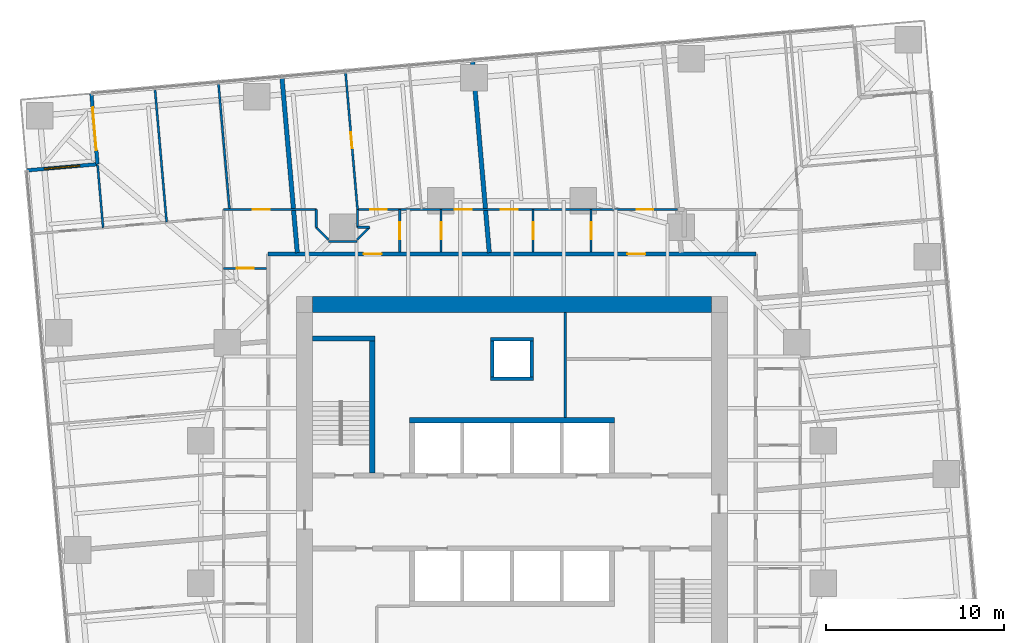
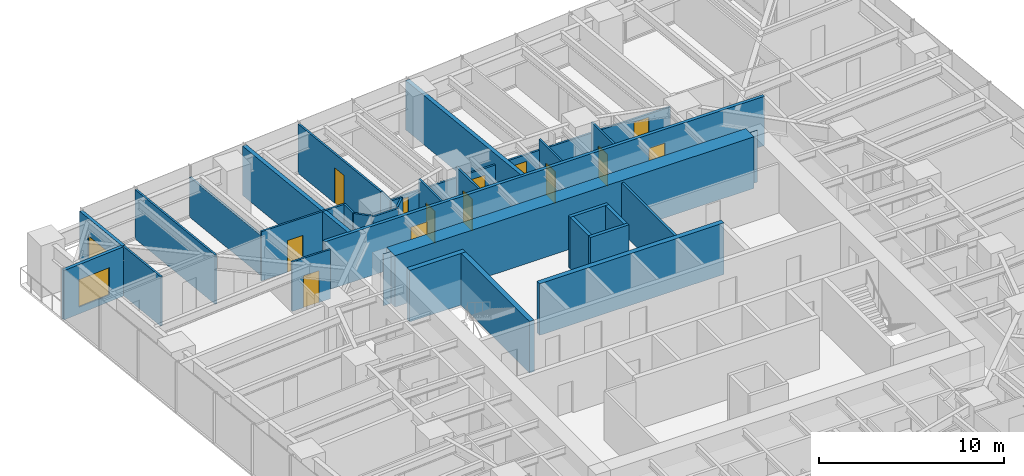
# One storey, part 12 of 14: 31 walls, 14 doors, 1 window, 15 openings.
"""IFC4 building model written with IfcOpenShell, lengths in metres."""

from ifc_helpers import new_model, si_unit, direction, frame, frame_2d, origin, place, context, subcontext, project, spatial, polyline, rectangle, outline, extrude, material, layer, layer_set, type_object, element, fill, save


model = new_model("IFC4")

# Units and contexts
model_context = context("Model", 3, precision=1e-05, world=origin(), true_north=direction((0.0, 1.0)))
body_context = subcontext(model_context, "Body", "Model", "MODEL_VIEW")
ifc_project = project(units=[si_unit("LENGTHUNIT", "METRE"), si_unit("AREAUNIT", "SQUARE_METRE"), si_unit("VOLUMEUNIT", "CUBIC_METRE"), si_unit("PLANEANGLEUNIT", "RADIAN"), si_unit("MASSUNIT", "GRAM", prefix="KILO")], contexts=[model_context])

# Site, building, storey
site_placement = place(None, origin())
site = spatial("IfcSite", under=ifc_project, at=site_placement, CompositionType="ELEMENT")
building_placement = place(site_placement, origin())
building = spatial("IfcBuilding", under=site, at=building_placement, Name="Torsade Residences", CompositionType="ELEMENT")
storey_placement = place(building_placement, frame((0.0, 0.0, 64.199951171875)))
storey = spatial("IfcBuildingStorey", under=building, at=storey_placement, Name="L17", CompositionType="ELEMENT", Elevation=64.199951171875)

# Walls
ifc_material_1 = material(Name="Concrete 80 MPa", Category="concrete")
ifc_layer_1 = layer(ifc_material_1, 0.300048828125)
ifc_layer_set_1 = layer_set([ifc_layer_1], Name="Concrete 80 MPa")
wall_type_1 = type_object("IfcWallType", Name="CORE INTERNAL WALL 300", PredefinedType="SHEAR", material=ifc_layer_set_1)
wall_1_placement = place(storey_placement, frame((34.25, 35.14990234375, 0.0), z_axis=(0.0, 0.0, 1.0), x_axis=(1.0, 0.0, 0.0)))
element("IfcWall", 1, at=wall_1_placement, inside=storey, type_object=wall_type_1, Name="Core wall BN L17", PredefinedType="SHEAR", context=body_context, shape_type="SweptSolid", body=[
    extrude(rectangle(XDim=11.5, YDim=0.300048828125, at=frame_2d((5.75, 0.0))), origin(), (0.0, 0.0, 1.0), 3.400146484375),
])
wall_2_placement = place(storey_placement, frame((32.14990234375, 32.199951171875, 0.0), z_axis=(0.0, 0.0, 1.0), x_axis=(0.0, 1.0, 0.0)))
element("IfcWall", 2, at=wall_2_placement, inside=storey, type_object=wall_type_1, Name="Core wall ST1E L17", PredefinedType="SHEAR", context=body_context, shape_type="SweptSolid", body=[
    extrude(rectangle(XDim=7.699951171875, YDim=0.300048828125, at=frame_2d((3.85009765625, 0.0))), origin(), (0.0, 0.0, 1.0), 3.400146484375),
])
wall_3_placement = place(storey_placement, frame((28.800048828125, 39.75, 0.0), z_axis=(0.0, 0.0, 1.0), x_axis=(1.0, 0.0, 0.0)))
element("IfcWall", 3, at=wall_3_placement, inside=storey, type_object=wall_type_1, Name="Core wall ST1N L17", PredefinedType="SHEAR", context=body_context, shape_type="SweptSolid", body=[
    extrude(rectangle(XDim=3.5, YDim=0.300048828125, at=frame_2d((1.75, 0.0))), origin(), (0.0, 0.0, 1.0), 3.400146484375),
])
ifc_material_2 = material(Name="Concrete 80 MPa", Category="concrete")
ifc_layer_2 = layer(ifc_material_2, 0.89990234375)
ifc_layer_set_2 = layer_set([ifc_layer_2], Name="Concrete 80 MPa")
wall_type_2 = type_object("IfcWallType", Name="CORE WALL 900", PredefinedType="SHEAR", material=ifc_layer_set_2)
wall_4_placement = place(storey_placement, frame((28.800048828125, 41.64990234375, 0.0), z_axis=(0.0, 0.0, 1.0), x_axis=(1.0, 0.0, 0.0)))
element("IfcWall", 4, at=wall_4_placement, inside=storey, type_object=wall_type_2, Name="Core wall N L17", PredefinedType="SHEAR", context=body_context, shape_type="SweptSolid", body=[
    extrude(outline(polyline([(0.0, -0.449951171875), (22.39990234375, -0.449951171875), (22.39990234375, -0.02490234375), (22.849853515625, -0.02490234375), (22.849853515625, 0.02490234375), (22.39990234375, 0.02490234375), (22.39990234375, 0.449951171875), (0.0, 0.449951171875), (0.0, 0.02490234375), (-0.449951171875, 0.02490234375), (-0.449951171875, -0.02490234375), (0.0, -0.02490234375), (0.0, -0.449951171875)])), origin(), (0.0, 0.0, 1.0), 3.400146484375),
])

# Wall, openings, doors
ifc_material_3 = material(Name="Plasterboard on steel stud", Category="steel")
ifc_layer_3 = layer(ifc_material_3, 0.199951171875)
ifc_layer_set_3 = layer_set([ifc_layer_3], Name="Plasterboard on steel stud")
wall_type_3 = type_object("IfcWallType", Name="CORRIDOR WALL 200", PredefinedType="PARTITIONING", material=ifc_layer_set_3)
wall_5_placement = place(storey_placement, frame((53.699951171875, 44.5, 0.0), z_axis=(0.0, 0.0, 1.0), x_axis=(-1.0, 0.0, 0.0)))
wall_5 = element("IfcWall", 5, at=wall_5_placement, inside=storey, type_object=wall_type_3, Name="Corridor wall L17", PredefinedType="PARTITIONING", context=body_context, shape_type="SweptSolid", body=[
    extrude(rectangle(XDim=27.39990234375, YDim=0.199951171875, at=frame_2d((13.699951171875, 0.0))), origin(), (0.0, 0.0, 1.0), 3.25),
])
opening_1_placement = place(wall_5_placement, frame((21.02099609375, 0.0, 0.0)))
opening_1 = element("IfcOpeningElement", 6, at=opening_1_placement, cuts=wall_5, Name="Opening D01", PredefinedType="OPENING", context=body_context, shape_type="SweptSolid", body=[
    extrude(rectangle(XDim=1.02001953125, YDim=2.340087890625, at=frame_2d((0.510009765625, 1.169921875))), frame((0.0, 0.10986328125, 0.0), z_axis=(0.0, -1.0, 0.0), x_axis=(1.0, 0.0, 0.0)), (0.0, 0.0, 1.0), 0.219970703125),
])
opening_2_placement = place(wall_5_placement, frame((6.201416015625, 0.0, 0.0)))
opening_2 = element("IfcOpeningElement", 7, at=opening_2_placement, cuts=wall_5, Name="Opening D01", PredefinedType="OPENING", context=body_context, shape_type="SweptSolid", body=[
    extrude(rectangle(XDim=1.02001953125, YDim=2.340087890625, at=frame_2d((0.510009765625, 1.169921875))), frame((0.0, 0.10986328125, 0.0), z_axis=(0.0, -1.0, 0.0), x_axis=(1.0, 0.0, 0.0)), (0.0, 0.0, 1.0), 0.219970703125),
])
ifc_material_4 = material(Name="Solid-core timber fire door", Category="wood")
door_type_1 = type_object("IfcDoorType", Name="APARTMENT ENTRY DOOR 1020x2340", OperationType="NOTDEFINED", PredefinedType="DOOR", material=ifc_material_4)
door_1_placement = place(opening_1_placement, origin())
door_1 = element("IfcDoor", 8, at=door_1_placement, inside=storey, type_object=door_type_1, Name="Door Residential corridor to Kitchen and dining", OperationType="SINGLE_SWING_LEFT", OverallHeight=2.340087890625, OverallWidth=1.02001953125, PredefinedType="DOOR", context=body_context, shape_type="SweptSolid", body=[
    extrude(rectangle(XDim=1.02001953125, YDim=2.340087890625, at=frame_2d((0.510009765625, 1.169921875))), frame((0.0, 0.02490234375, 0.0), z_axis=(0.0, -1.0, 0.0), x_axis=(1.0, 0.0, 0.0)), (0.0, 0.0, 1.0), 0.050048828125),
])
fill(opening_1, door_1)
door_2_placement = place(opening_2_placement, origin())
door_2 = element("IfcDoor", 9, at=door_2_placement, inside=storey, type_object=door_type_1, Name="Door Residential corridor to Kitchen and dining", OperationType="SINGLE_SWING_RIGHT", OverallHeight=2.340087890625, OverallWidth=1.02001953125, PredefinedType="DOOR", context=body_context, shape_type="SweptSolid", body=[
    extrude(rectangle(XDim=1.02001953125, YDim=2.340087890625, at=frame_2d((0.510009765625, 1.169921875))), frame((0.0, 0.02490234375, 0.0), z_axis=(0.0, -1.0, 0.0), x_axis=(1.0, 0.0, 0.0)), (0.0, 0.0, 1.0), 0.050048828125),
])
fill(opening_2, door_2)

# Wall, opening, door
ifc_material_5 = material(Name="Plasterboard on steel stud", Category="steel")
ifc_layer_4 = layer(ifc_material_5, 0.1201171875)
ifc_layer_set_4 = layer_set([ifc_layer_4], Name="Plasterboard on steel stud")
wall_type_4 = type_object("IfcWallType", Name="PARTITION 120", PredefinedType="PARTITIONING", material=ifc_layer_set_4)
wall_6_placement = place(storey_placement, frame((44.44482421875, 44.60009765625, 0.0), z_axis=(0.0, 0.0, 1.0), x_axis=(0.0, 1.0, 0.0)))
wall_6 = element("IfcWall", 10, at=wall_6_placement, inside=storey, type_object=wall_type_4, Name="Partition L17", PredefinedType="PARTITIONING", context=body_context, shape_type="SweptSolid", body=[
    extrude(rectangle(XDim=2.39990234375, YDim=0.1201171875, at=frame_2d((1.199951171875, 0.0))), origin(), (0.0, 0.0, 1.0), 3.25),
])
opening_3_placement = place(wall_6_placement, frame((0.719970703125, 0.0, 0.0)))
opening_3 = element("IfcOpeningElement", 11, at=opening_3_placement, cuts=wall_6, Name="Opening D05", PredefinedType="OPENING", context=body_context, shape_type="SweptSolid", body=[
    extrude(rectangle(XDim=0.9599609375, YDim=2.10009765625, at=frame_2d((0.47998046875, 1.050048828125))), frame((0.0, 0.070068359375, 0.0), z_axis=(0.0, -1.0, 0.0), x_axis=(1.0, 0.0, 0.0)), (0.0, 0.0, 1.0), 0.14013671875),
])
ifc_material_6 = material(Name="Hollow-core timber door in a steel cavity frame", Category="steel")
door_type_2 = type_object("IfcDoorType", Name="BATHROOM CAVITY SLIDING DOOR 960", OperationType="SLIDING_TO_LEFT", PredefinedType="DOOR", material=ifc_material_6)
door_3_placement = place(opening_3_placement, origin())
door_3 = element("IfcDoor", 12, at=door_3_placement, inside=storey, type_object=door_type_2, Name="Door Kitchen and dining to Bathroom", OperationType="SLIDING_TO_LEFT", OverallHeight=2.10009765625, OverallWidth=0.9599609375, PredefinedType="DOOR", context=body_context, shape_type="SweptSolid", body=[
    extrude(rectangle(XDim=0.9599609375, YDim=2.10009765625, at=frame_2d((0.47998046875, 1.050048828125))), frame((0.0, 0.02490234375, 0.0), z_axis=(0.0, -1.0, 0.0), x_axis=(1.0, 0.0, 0.0)), (0.0, 0.0, 1.0), 0.050048828125),
])
fill(opening_3, door_3)

# Wall, openings, doors
wall_7_placement = place(storey_placement, frame((31.318603515625, 47.0, 0.0), z_axis=(0.0, 0.0, 1.0), x_axis=(1.0, 0.0, 0.0)))
wall_7 = element("IfcWall", 13, at=wall_7_placement, inside=storey, type_object=wall_type_4, Name="Partition L17", PredefinedType="PARTITIONING", context=body_context, shape_type="SweptSolid", body=[
    extrude(rectangle(XDim=17.985107421875, YDim=0.1201171875, at=frame_2d((8.99267578125, 0.0))), origin(), (0.0, 0.0, 1.0), 2.550048828125),
])
opening_4_placement = place(wall_7_placement, frame((0.7255859375, 0.0, 0.0)))
opening_4 = element("IfcOpeningElement", 14, at=opening_4_placement, cuts=wall_7, Name="Opening D02", PredefinedType="OPENING", context=body_context, shape_type="SweptSolid", body=[
    extrude(rectangle(XDim=0.919921875, YDim=2.340087890625, at=frame_2d((0.4599609375, 1.169921875))), frame((0.0, 0.070068359375, 0.0), z_axis=(0.0, -1.0, 0.0), x_axis=(1.0, 0.0, 0.0)), (0.0, 0.0, 1.0), 0.14013671875),
])
opening_5_placement = place(wall_7_placement, frame((15.701416015625, 0.0, 0.0)))
opening_5 = element("IfcOpeningElement", 15, at=opening_5_placement, cuts=wall_7, Name="Opening D02", PredefinedType="OPENING", context=body_context, shape_type="SweptSolid", body=[
    extrude(rectangle(XDim=0.919921875, YDim=2.340087890625, at=frame_2d((0.4599609375, 1.169921875))), frame((0.0, 0.070068359375, 0.0), z_axis=(0.0, -1.0, 0.0), x_axis=(1.0, 0.0, 0.0)), (0.0, 0.0, 1.0), 0.14013671875),
])
opening_6_placement = place(wall_7_placement, frame((5.46728515625, 0.0, 0.0)))
opening_6 = element("IfcOpeningElement", 16, at=opening_6_placement, cuts=wall_7, Name="Opening D05", PredefinedType="OPENING", context=body_context, shape_type="SweptSolid", body=[
    extrude(rectangle(XDim=0.9599609375, YDim=2.10009765625, at=frame_2d((0.47998046875, 1.050048828125))), frame((0.0, 0.070068359375, 0.0), z_axis=(0.0, -1.0, 0.0), x_axis=(1.0, 0.0, 0.0)), (0.0, 0.0, 1.0), 0.14013671875),
])
opening_7_placement = place(wall_7_placement, frame((8.0498046875, 0.0, 0.0)))
opening_7 = element("IfcOpeningElement", 17, at=opening_7_placement, cuts=wall_7, Name="Opening D05", PredefinedType="OPENING", context=body_context, shape_type="SweptSolid", body=[
    extrude(rectangle(XDim=0.9599609375, YDim=2.10009765625, at=frame_2d((0.47998046875, 1.050048828125))), frame((0.0, 0.070068359375, 0.0), z_axis=(0.0, -1.0, 0.0), x_axis=(1.0, 0.0, 0.0)), (0.0, 0.0, 1.0), 0.14013671875),
])
door_4_placement = place(opening_6_placement, origin())
door_4 = element("IfcDoor", 18, at=door_4_placement, inside=storey, type_object=door_type_2, Name="Door Bathroom to Living room", OperationType="SLIDING_TO_LEFT", OverallHeight=2.10009765625, OverallWidth=0.9599609375, PredefinedType="DOOR", context=body_context, shape_type="SweptSolid", body=[
    extrude(rectangle(XDim=0.9599609375, YDim=2.10009765625, at=frame_2d((0.47998046875, 1.050048828125))), frame((0.0, 0.02490234375, 0.0), z_axis=(0.0, -1.0, 0.0), x_axis=(1.0, 0.0, 0.0)), (0.0, 0.0, 1.0), 0.050048828125),
])
fill(opening_6, door_4)
door_5_placement = place(opening_7_placement, origin())
door_5 = element("IfcDoor", 19, at=door_5_placement, inside=storey, type_object=door_type_2, Name="Door Ensuite to Bedroom 2", OperationType="SLIDING_TO_LEFT", OverallHeight=2.10009765625, OverallWidth=0.9599609375, PredefinedType="DOOR", context=body_context, shape_type="SweptSolid", body=[
    extrude(rectangle(XDim=0.9599609375, YDim=2.10009765625, at=frame_2d((0.47998046875, 1.050048828125))), frame((0.0, 0.02490234375, 0.0), z_axis=(0.0, -1.0, 0.0), x_axis=(1.0, 0.0, 0.0)), (0.0, 0.0, 1.0), 0.050048828125),
])
fill(opening_7, door_5)
ifc_material_7 = material(Name="Hollow-core timber door", Category="wood")
door_type_3 = type_object("IfcDoorType", Name="INTERNAL DOOR 920x2340", OperationType="NOTDEFINED", PredefinedType="DOOR", material=ifc_material_7)
door_6_placement = place(opening_4_placement, origin())
door_6 = element("IfcDoor", 20, at=door_6_placement, inside=storey, type_object=door_type_3, Name="Door Kitchen and dining to Bedroom 1", OperationType="SINGLE_SWING_LEFT", OverallHeight=2.340087890625, OverallWidth=0.919921875, PredefinedType="DOOR", context=body_context, shape_type="SweptSolid", body=[
    extrude(rectangle(XDim=0.919921875, YDim=2.340087890625, at=frame_2d((0.4599609375, 1.169921875))), frame((0.0, 0.02490234375, 0.0), z_axis=(0.0, -1.0, 0.0), x_axis=(1.0, 0.0, 0.0)), (0.0, 0.0, 1.0), 0.050048828125),
])
fill(opening_4, door_6)
door_7_placement = place(opening_5_placement, origin())
door_7 = element("IfcDoor", 21, at=door_7_placement, inside=storey, type_object=door_type_3, Name="Door Kitchen and dining to Living room", OperationType="SINGLE_SWING_RIGHT", OverallHeight=2.340087890625, OverallWidth=0.919921875, PredefinedType="DOOR", context=body_context, shape_type="SweptSolid", body=[
    extrude(rectangle(XDim=0.919921875, YDim=2.340087890625, at=frame_2d((0.4599609375, 1.169921875))), frame((0.0, 0.02490234375, 0.0), z_axis=(0.0, -1.0, 0.0), x_axis=(1.0, 0.0, 0.0)), (0.0, 0.0, 1.0), 0.050048828125),
])
fill(opening_5, door_7)

# Wall, opening, door
wall_8_placement = place(storey_placement, frame((41.183837890625, 44.60009765625, 0.0), z_axis=(0.0, 0.0, 1.0), x_axis=(0.0, 1.0, 0.0)))
wall_8 = element("IfcWall", 22, at=wall_8_placement, inside=storey, type_object=wall_type_4, Name="Partition L17", PredefinedType="PARTITIONING", context=body_context, shape_type="SweptSolid", body=[
    extrude(rectangle(XDim=2.39990234375, YDim=0.1201171875, at=frame_2d((1.199951171875, 0.0))), origin(), (0.0, 0.0, 1.0), 3.25),
])
opening_8_placement = place(wall_8_placement, frame((0.719970703125, 0.0, 0.0)))
opening_8 = element("IfcOpeningElement", 23, at=opening_8_placement, cuts=wall_8, Name="Opening D05", PredefinedType="OPENING", context=body_context, shape_type="SweptSolid", body=[
    extrude(rectangle(XDim=0.9599609375, YDim=2.10009765625, at=frame_2d((0.47998046875, 1.050048828125))), frame((0.0, 0.070068359375, 0.0), z_axis=(0.0, -1.0, 0.0), x_axis=(1.0, 0.0, 0.0)), (0.0, 0.0, 1.0), 0.14013671875),
])
door_8_placement = place(opening_8_placement, origin())
door_8 = element("IfcDoor", 24, at=door_8_placement, inside=storey, type_object=door_type_2, Name="Door Bathroom to Ensuite", OperationType="SLIDING_TO_LEFT", OverallHeight=2.10009765625, OverallWidth=0.9599609375, PredefinedType="DOOR", context=body_context, shape_type="SweptSolid", body=[
    extrude(rectangle(XDim=0.9599609375, YDim=2.10009765625, at=frame_2d((0.47998046875, 1.050048828125))), frame((0.0, 0.02490234375, 0.0), z_axis=(0.0, -1.0, 0.0), x_axis=(1.0, 0.0, 0.0)), (0.0, 0.0, 1.0), 0.050048828125),
])
fill(opening_8, door_8)

wall_9_placement = place(storey_placement, frame((33.68994140625, 47.0, 0.0), z_axis=(0.0, 0.0, 1.0), x_axis=(0.0, -1.0, 0.0)))
wall_9 = element("IfcWall", 25, at=wall_9_placement, inside=storey, type_object=wall_type_4, Name="Partition L17", PredefinedType="PARTITIONING", context=body_context, shape_type="SweptSolid", body=[
    extrude(rectangle(XDim=2.39990234375, YDim=0.1201171875, at=frame_2d((1.199951171875, 0.0))), origin(), (0.0, 0.0, 1.0), 3.25),
])
opening_9_placement = place(wall_9_placement, frame((0.719970703125, 0.0, 0.0)))
opening_9 = element("IfcOpeningElement", 26, at=opening_9_placement, cuts=wall_9, Name="Opening D05", PredefinedType="OPENING", context=body_context, shape_type="SweptSolid", body=[
    extrude(rectangle(XDim=0.9599609375, YDim=2.10009765625, at=frame_2d((0.47998046875, 1.050048828125))), frame((0.0, 0.070068359375, 0.0), z_axis=(0.0, -1.0, 0.0), x_axis=(1.0, 0.0, 0.0)), (0.0, 0.0, 1.0), 0.14013671875),
])
door_9_placement = place(opening_9_placement, origin())
door_9 = element("IfcDoor", 27, at=door_9_placement, inside=storey, type_object=door_type_2, Name="Door Kitchen and dining to Ensuite", OperationType="SLIDING_TO_LEFT", OverallHeight=2.10009765625, OverallWidth=0.9599609375, PredefinedType="DOOR", context=body_context, shape_type="SweptSolid", body=[
    extrude(rectangle(XDim=0.9599609375, YDim=2.10009765625, at=frame_2d((0.47998046875, 1.050048828125))), frame((0.0, 0.02490234375, 0.0), z_axis=(0.0, -1.0, 0.0), x_axis=(1.0, 0.0, 0.0)), (0.0, 0.0, 1.0), 0.050048828125),
])
fill(opening_9, door_9)

wall_10_placement = place(storey_placement, frame((23.800048828125, 47.0, 0.0), z_axis=(0.0, 0.0, 1.0), x_axis=(1.0, 0.0, 0.0)))
wall_10 = element("IfcWall", 28, at=wall_10_placement, inside=storey, type_object=wall_type_4, Name="Partition L17", PredefinedType="PARTITIONING", context=body_context, shape_type="SweptSolid", body=[
    extrude(rectangle(XDim=5.199951171875, YDim=0.1201171875, at=frame_2d((2.60009765625, 0.0))), origin(), (0.0, 0.0, 1.0), 3.25),
])
opening_10_placement = place(wall_10_placement, frame((1.617919921875, 0.0, 0.0)))
opening_10 = element("IfcOpeningElement", 29, at=opening_10_placement, cuts=wall_10, Name="Opening D05", PredefinedType="OPENING", context=body_context, shape_type="SweptSolid", body=[
    extrude(rectangle(XDim=0.9599609375, YDim=2.10009765625, at=frame_2d((0.47998046875, 1.050048828125))), frame((0.0, 0.070068359375, 0.0), z_axis=(0.0, -1.0, 0.0), x_axis=(1.0, 0.0, 0.0)), (0.0, 0.0, 1.0), 0.14013671875),
])
door_10_placement = place(opening_10_placement, origin())
door_10 = element("IfcDoor", 30, at=door_10_placement, inside=storey, type_object=door_type_2, Name="Door Bathroom to Study", OperationType="SLIDING_TO_LEFT", OverallHeight=2.10009765625, OverallWidth=0.9599609375, PredefinedType="DOOR", context=body_context, shape_type="SweptSolid", body=[
    extrude(rectangle(XDim=0.9599609375, YDim=2.10009765625, at=frame_2d((0.47998046875, 1.050048828125))), frame((0.0, 0.02490234375, 0.0), z_axis=(0.0, -1.0, 0.0), x_axis=(1.0, 0.0, 0.0)), (0.0, 0.0, 1.0), 0.050048828125),
])
fill(opening_10, door_10)

# Walls
wall_11_placement = place(storey_placement, frame((29.0, 47.0, 0.0), z_axis=(0.0, 0.0, 1.0), x_axis=(0.0, -1.0, 0.0)))
element("IfcWall", 31, at=wall_11_placement, inside=storey, type_object=wall_type_4, Name="Partition L17", PredefinedType="PARTITIONING", context=body_context, shape_type="SweptSolid", body=[
    extrude(rectangle(XDim=1.0, YDim=0.1201171875, at=frame_2d((0.5, 0.0))), origin(), (0.0, 0.0, 1.0), 3.25),
])
wall_12_placement = place(storey_placement, frame((29.0, 46.0, 0.0), z_axis=(0.0, 0.0, 1.0), x_axis=(0.707106781187, -0.707106781187, 0.0)))
element("IfcWall", 32, at=wall_12_placement, inside=storey, type_object=wall_type_4, Name="Partition L17", PredefinedType="PARTITIONING", context=body_context, shape_type="SweptSolid", body=[
    extrude(rectangle(XDim=0.989990234375, YDim=0.1201171875, at=frame_2d((0.4951171875, 0.0))), origin(), (0.0, 0.0, 1.0), 3.25),
])
wall_13_placement = place(storey_placement, frame((29.699951171875, 45.199951171875, 0.0), z_axis=(0.0, 0.0, 1.0), x_axis=(1.0, 0.0, 0.0)))
element("IfcWall", 33, at=wall_13_placement, inside=storey, type_object=wall_type_4, Name="Partition L17", PredefinedType="PARTITIONING", context=body_context, shape_type="SweptSolid", body=[
    extrude(rectangle(XDim=1.60009765625, YDim=0.1201171875, at=frame_2d((0.800048828125, 0.0))), origin(), (0.0, 0.0, 1.0), 3.25),
])
wall_14_placement = place(storey_placement, frame((31.300048828125, 45.300048828125, 0.0), z_axis=(0.0, 0.0, 1.0), x_axis=(0.707106781187, 0.707106781187, 0.0)))
element("IfcWall", 34, at=wall_14_placement, inside=storey, type_object=wall_type_4, Name="Partition L17", PredefinedType="PARTITIONING", context=body_context, shape_type="SweptSolid", body=[
    extrude(rectangle(XDim=0.989990234375, YDim=0.1201171875, at=frame_2d((0.4951171875, 0.0))), origin(), (0.0, 0.0, 1.0), 3.25),
])
wall_15_placement = place(storey_placement, frame((32.0, 46.0, 0.0), z_axis=(0.0, 0.0, 1.0), x_axis=(-1.0, 0.0, 0.0)))
element("IfcWall", 35, at=wall_15_placement, inside=storey, type_object=wall_type_4, Name="Partition L17", PredefinedType="PARTITIONING", context=body_context, shape_type="SweptSolid", body=[
    extrude(rectangle(XDim=0.681396484375, YDim=0.1201171875, at=frame_2d((0.3408203125, 0.0))), origin(), (0.0, 0.0, 1.0), 3.25),
])
wall_16_placement = place(storey_placement, frame((31.318603515625, 46.0, 0.0), z_axis=(0.0, 0.0, 1.0), x_axis=(0.0, 1.0, 0.0)))
element("IfcWall", 36, at=wall_16_placement, inside=storey, type_object=wall_type_4, Name="Partition L17", PredefinedType="PARTITIONING", context=body_context, shape_type="SweptSolid", body=[
    extrude(rectangle(XDim=1.0, YDim=0.1201171875, at=frame_2d((0.5, 0.0))), origin(), (0.0, 0.0, 1.0), 3.25),
])

# Wall, opening, door
wall_17_placement = place(storey_placement, frame((36.019287109375, 44.60009765625, 0.0), z_axis=(0.0, 0.0, 1.0), x_axis=(0.0, 1.0, 0.0)))
wall_17 = element("IfcWall", 37, at=wall_17_placement, inside=storey, type_object=wall_type_4, Name="Partition L17", PredefinedType="PARTITIONING", context=body_context, shape_type="SweptSolid", body=[
    extrude(rectangle(XDim=2.39990234375, YDim=0.1201171875, at=frame_2d((1.199951171875, 0.0))), origin(), (0.0, 0.0, 1.0), 3.25),
])
opening_11_placement = place(wall_17_placement, frame((0.719970703125, 0.0, 0.0)))
opening_11 = element("IfcOpeningElement", 38, at=opening_11_placement, cuts=wall_17, Name="Opening D05", PredefinedType="OPENING", context=body_context, shape_type="SweptSolid", body=[
    extrude(rectangle(XDim=0.9599609375, YDim=2.10009765625, at=frame_2d((0.47998046875, 1.050048828125))), frame((0.0, 0.070068359375, 0.0), z_axis=(0.0, -1.0, 0.0), x_axis=(1.0, 0.0, 0.0)), (0.0, 0.0, 1.0), 0.14013671875),
])
door_11_placement = place(opening_11_placement, origin())
door_11 = element("IfcDoor", 39, at=door_11_placement, inside=storey, type_object=door_type_2, Name="Door Ensuite to Bathroom", OperationType="SLIDING_TO_LEFT", OverallHeight=2.10009765625, OverallWidth=0.9599609375, PredefinedType="DOOR", context=body_context, shape_type="SweptSolid", body=[
    extrude(rectangle(XDim=0.9599609375, YDim=2.10009765625, at=frame_2d((0.47998046875, 1.050048828125))), frame((0.0, 0.02490234375, 0.0), z_axis=(0.0, -1.0, 0.0), x_axis=(1.0, 0.0, 0.0)), (0.0, 0.0, 1.0), 0.050048828125),
])
fill(opening_11, door_11)

wall_18_placement = place(storey_placement, frame((31.318603515625, 47.0, 0.0), z_axis=(0.0, 0.0, 1.0), x_axis=(-0.0871517452, 0.996195047824, 0.0)))
wall_18 = element("IfcWall", 40, at=wall_18_placement, inside=storey, type_object=wall_type_4, Name="Partition L17", PredefinedType="PARTITIONING", context=body_context, shape_type="SweptSolid", body=[
    extrude(rectangle(XDim=7.76806640625, YDim=0.1201171875, at=frame_2d((3.884033203125, 0.0))), origin(), (0.0, 0.0, 1.0), 3.25),
])
opening_12_placement = place(wall_18_placement, frame((3.444091796875, 0.0, 0.0)))
opening_12 = element("IfcOpeningElement", 41, at=opening_12_placement, cuts=wall_18, Name="Opening D02", PredefinedType="OPENING", context=body_context, shape_type="SweptSolid", body=[
    extrude(rectangle(XDim=0.919921875, YDim=2.340087890625, at=frame_2d((0.4599609375, 1.169921875))), frame((0.0, 0.070068359375, 0.0), z_axis=(0.0, -1.0, 0.0), x_axis=(1.0, 0.0, 0.0)), (0.0, 0.0, 1.0), 0.14013671875),
])
door_12_placement = place(opening_12_placement, origin())
door_12 = element("IfcDoor", 42, at=door_12_placement, inside=storey, type_object=door_type_3, Name="Door Bedroom 1 to Bedroom 2", OperationType="SINGLE_SWING_RIGHT", OverallHeight=2.340087890625, OverallWidth=0.919921875, PredefinedType="DOOR", context=body_context, shape_type="SweptSolid", body=[
    extrude(rectangle(XDim=0.919921875, YDim=2.340087890625, at=frame_2d((0.4599609375, 1.169921875))), frame((0.0, 0.02490234375, 0.0), z_axis=(0.0, -1.0, 0.0), x_axis=(1.0, 0.0, 0.0)), (0.0, 0.0, 1.0), 0.050048828125),
])
fill(opening_12, door_12)

wall_19_placement = place(storey_placement, frame((23.800048828125, 43.68994140625, 0.0), z_axis=(0.0, 0.0, 1.0), x_axis=(1.0, 0.0, 0.0)))
wall_19 = element("IfcWall", 43, at=wall_19_placement, inside=storey, type_object=wall_type_4, Name="Partition L17", PredefinedType="PARTITIONING", context=body_context, shape_type="SweptSolid", body=[
    extrude(rectangle(XDim=2.39990234375, YDim=0.1201171875, at=frame_2d((1.199951171875, 0.0))), origin(), (0.0, 0.0, 1.0), 3.25),
])
opening_13_placement = place(wall_19_placement, frame((0.719970703125, 0.0, 0.0)))
opening_13 = element("IfcOpeningElement", 44, at=opening_13_placement, cuts=wall_19, Name="Opening D05", PredefinedType="OPENING", context=body_context, shape_type="SweptSolid", body=[
    extrude(rectangle(XDim=0.9599609375, YDim=2.10009765625, at=frame_2d((0.47998046875, 1.050048828125))), frame((0.0, 0.070068359375, 0.0), z_axis=(0.0, -1.0, 0.0), x_axis=(1.0, 0.0, 0.0)), (0.0, 0.0, 1.0), 0.14013671875),
])
door_13_placement = place(opening_13_placement, origin())
door_13 = element("IfcDoor", 45, at=door_13_placement, inside=storey, type_object=door_type_2, Name="Door Kitchen and dining to Bathroom", OperationType="SLIDING_TO_LEFT", OverallHeight=2.10009765625, OverallWidth=0.9599609375, PredefinedType="DOOR", context=body_context, shape_type="SweptSolid", body=[
    extrude(rectangle(XDim=0.9599609375, YDim=2.10009765625, at=frame_2d((0.47998046875, 1.050048828125))), frame((0.0, 0.02490234375, 0.0), z_axis=(0.0, -1.0, 0.0), x_axis=(1.0, 0.0, 0.0)), (0.0, 0.0, 1.0), 0.050048828125),
])
fill(opening_13, door_13)

# Walls
wall_20_placement = place(storey_placement, frame((19.9326171875, 53.801513671875, 0.0), z_axis=(0.0, 0.0, 1.0), x_axis=(0.087161730761, -0.99619417419, 0.0)))
element("IfcWall", 46, at=wall_20_placement, inside=storey, type_object=wall_type_4, Name="Partition L17", PredefinedType="PARTITIONING", context=body_context, shape_type="SweptSolid", body=[
    extrude(rectangle(XDim=7.543212890625, YDim=0.1201171875, at=frame_2d((3.771484375, 0.0))), origin(), (0.0, 0.0, 1.0), 3.25),
])
wall_21_placement = place(storey_placement, frame((17.020263671875, 45.974609375, 0.0), z_axis=(0.0, 0.0, 1.0), x_axis=(-0.087161821847, 0.996194166221, 0.0)))
element("IfcWall", 47, at=wall_21_placement, inside=storey, type_object=wall_type_4, Name="Partition L17", PredefinedType="PARTITIONING", context=body_context, shape_type="SweptSolid", body=[
    extrude(rectangle(XDim=3.543212890625, YDim=0.1201171875, at=frame_2d((1.771484375, 0.0))), origin(), (0.0, 0.0, 1.0), 3.25),
])
wall_22_placement = place(storey_placement, frame((23.502197265625, 54.11376953125, 0.0), z_axis=(0.0, 0.0, 1.0), x_axis=(0.087147441029, -0.996195424363, 0.0)))
element("IfcWall", 48, at=wall_22_placement, inside=storey, type_object=wall_type_4, Name="Partition L17", PredefinedType="PARTITIONING", context=body_context, shape_type="SweptSolid", body=[
    extrude(rectangle(XDim=7.140869140625, YDim=0.1201171875, at=frame_2d((3.5703125, 0.0))), origin(), (0.0, 0.0, 1.0), 2.637939453125),
])
ifc_material_8 = material(Name="Masonry-lined stud party wall", Category="masonry")
ifc_layer_5 = layer(ifc_material_8, 0.25)
ifc_layer_set_5 = layer_set([ifc_layer_5], Name="Masonry-lined stud party wall")
wall_type_5 = type_object("IfcWallType", Name="PARTY WALL 250", PredefinedType="PARTITIONING", material=ifc_layer_set_5)
wall_23_placement = place(storey_placement, frame((37.777587890625, 55.403076171875, 0.0), z_axis=(0.0, 0.0, 1.0), x_axis=(0.087140211333, -0.996196056792, 0.0)))
element("IfcWall", 49, at=wall_23_placement, inside=storey, type_object=wall_type_5, Name="Party wall L17", PredefinedType="PARTITIONING", context=body_context, shape_type="SweptSolid", body=[
    extrude(rectangle(XDim=10.873291015625, YDim=0.25, at=frame_2d((5.4365234375, 0.0))), origin(), (0.0, 0.0, 1.0), 3.25),
])
wall_24_placement = place(storey_placement, frame((27.068359375, 54.466064453125, 0.0), z_axis=(0.0, 0.0, 1.0), x_axis=(0.087157803114, -0.996194517831, 0.0)))
element("IfcWall", 50, at=wall_24_placement, inside=storey, type_object=wall_type_5, Name="Party wall L17", PredefinedType="PARTITIONING", context=body_context, shape_type="SweptSolid", body=[
    extrude(rectangle(XDim=9.932861328125, YDim=0.25, at=frame_2d((4.96630859375, 0.0))), origin(), (0.0, 0.0, 1.0), 3.25),
])
ifc_material_9 = material(Name="Reinforced blockwork", Category="masonry")
ifc_layer_6 = layer(ifc_material_9, 0.199951171875)
ifc_layer_set_6 = layer_set([ifc_layer_6], Name="Reinforced blockwork")
wall_type_6 = type_object("IfcWallType", Name="RISER SHAFT WALL 200", PredefinedType="SOLIDWALL", material=ifc_layer_set_6)
for number, where, z_axis, x_axis, name in (
    (51, (38.89990234375, 37.60009765625, 0.0), (0.0, 0.0, 1.0), (0.0, 1.0, 0.0), "Core wall RS1a L17"),
    (52, (41.10009765625, 37.60009765625, 0.0), (0.0, 0.0, 1.0), (0.0, 1.0, 0.0), "Core wall RS1b L17"),
):
    element("IfcWall", number, at=place(storey_placement, frame(where, z_axis=z_axis, x_axis=x_axis)), inside=storey, type_object=wall_type_6, Name=name, PredefinedType="SOLIDWALL", context=body_context, shape_type="SweptSolid", body=[
        extrude(rectangle(XDim=2.0, YDim=0.199951171875, at=frame_2d((1.0, 0.0))), origin(), (0.0, 0.0, 1.0), 3.400146484375),
    ])
for number, where, z_axis, x_axis, name in (
    (53, (38.800048828125, 37.5, 0.0), (0.0, 0.0, 1.0), (1.0, 0.0, 0.0), "Core wall RS1c L17"),
    (54, (38.800048828125, 39.699951171875, 0.0), (0.0, 0.0, 1.0), (1.0, 0.0, 0.0), "Core wall RS1d L17"),
):
    element("IfcWall", number, at=place(storey_placement, frame(where, z_axis=z_axis, x_axis=x_axis)), inside=storey, type_object=wall_type_6, Name=name, PredefinedType="SOLIDWALL", context=body_context, shape_type="SweptSolid", body=[
        extrude(rectangle(XDim=2.39990234375, YDim=0.199951171875, at=frame_2d((1.199951171875, 0.0))), origin(), (0.0, 0.0, 1.0), 3.400146484375),
    ])
ifc_material_10 = material(Name="Reinforced blockwork", Category="masonry")
ifc_layer_7 = layer(ifc_material_10, 0.14990234375)
ifc_layer_set_7 = layer_set([ifc_layer_7], Name="Reinforced blockwork")
wall_type_7 = type_object("IfcWallType", Name="SERVICE ROOM WALL 150", PredefinedType="SOLIDWALL", material=ifc_layer_set_7)
wall_25_placement = place(storey_placement, frame((43.0, 41.199951171875, 0.0), z_axis=(0.0, 0.0, 1.0), x_axis=(0.0, -1.0, 0.0)))
element("IfcWall", 55, at=wall_25_placement, inside=storey, type_object=wall_type_7, Name="Service room wall L17", PredefinedType="SOLIDWALL", context=body_context, shape_type="SweptSolid", body=[
    extrude(rectangle(XDim=5.89990234375, YDim=0.14990234375, at=frame_2d((2.949951171875, 0.0))), origin(), (0.0, 0.0, 1.0), 3.25),
])

# Wall, opening, door
ifc_material_11 = material(Name="Stone-faced precast concrete 40 MPa panel", Category="masonry")
ifc_layer_8 = layer(ifc_material_11, 0.199951171875)
ifc_layer_set_8 = layer_set([ifc_layer_8], Name="Stone-faced precast concrete 40 MPa panel")
wall_type_8 = type_object("IfcWallType", Name="TERRACE WALL 200", PredefinedType="SOLIDWALL", material=ifc_layer_set_8)
wall_26_placement = place(storey_placement, frame((16.359375, 53.529052734375, 0.0), z_axis=(0.0, 0.0, 1.0), x_axis=(0.087161650072, -0.99619418125, 0.0)))
wall_26 = element("IfcWall", 56, at=wall_26_placement, inside=storey, type_object=wall_type_8, Name="Terrace wall L17 8", PredefinedType="SOLIDWALL", context=body_context, shape_type="SweptSolid", body=[
    extrude(rectangle(XDim=3.999755859375, YDim=0.199951171875, at=frame_2d((2.0, 0.0))), origin(), (0.0, 0.0, 1.0), 3.25),
])
opening_14_placement = place(wall_26_placement, frame((0.800048828125, 0.0, 0.0)))
opening_14 = element("IfcOpeningElement", 57, at=opening_14_placement, cuts=wall_26, Name="Opening D10A", PredefinedType="OPENING", context=body_context, shape_type="SweptSolid", body=[
    extrude(rectangle(XDim=2.39990234375, YDim=2.10009765625, at=frame_2d((1.199951171875, 1.050048828125))), frame((0.0, 0.10986328125, 0.0), z_axis=(0.0, -1.0, 0.0), x_axis=(1.0, 0.0, 0.0)), (0.0, 0.0, 1.0), 0.219970703125),
])
ifc_material_12 = material(Name="Aluminium-framed glass door", Category="aluminium")
door_type_4 = type_object("IfcDoorType", Name="TERRACE SLIDING DOOR 2400x2100", OperationType="SLIDING_TO_LEFT", PredefinedType="DOOR", material=ifc_material_12)
door_14_placement = place(opening_14_placement, origin())
door_14 = element("IfcDoor", 58, at=door_14_placement, inside=storey, type_object=door_type_4, Name="Terrace door L17 8", OperationType="SLIDING_TO_LEFT", OverallHeight=2.10009765625, OverallWidth=2.39990234375, PredefinedType="DOOR", context=body_context, shape_type="SweptSolid", body=[
    extrude(rectangle(XDim=2.39990234375, YDim=2.10009765625, at=frame_2d((1.199951171875, 1.050048828125))), frame((0.0, 0.02490234375, 0.0), z_axis=(0.0, -1.0, 0.0), x_axis=(1.0, 0.0, 0.0)), (0.0, 0.0, 1.0), 0.050048828125),
])
fill(opening_14, door_14)

# Wall, opening, window
wall_27_placement = place(storey_placement, frame((16.7080078125, 49.54443359375, 0.0), z_axis=(0.0, 0.0, 1.0), x_axis=(-0.99619464492, -0.087156350505, 0.0)))
wall_27 = element("IfcWall", 59, at=wall_27_placement, inside=storey, type_object=wall_type_8, Name="Terrace wall L17 9", PredefinedType="SOLIDWALL", context=body_context, shape_type="SweptSolid", body=[
    extrude(rectangle(XDim=4.0, YDim=0.199951171875, at=frame_2d((2.0, 0.0))), origin(), (0.0, 0.0, 1.0), 3.25),
])
opening_15_placement = place(wall_27_placement, frame((1.0, 0.0, 0.449951171875)))
opening_15 = element("IfcOpeningElement", 60, at=opening_15_placement, cuts=wall_27, Name="Opening W1B", PredefinedType="OPENING", context=body_context, shape_type="SweptSolid", body=[
    extrude(rectangle(XDim=2.0, YDim=1.800048828125, at=frame_2d((1.0, 0.89990234375))), frame((0.0, 0.10986328125, 0.0), z_axis=(0.0, -1.0, 0.0), x_axis=(1.0, 0.0, 0.0)), (0.0, 0.0, 1.0), 0.219970703125),
])
ifc_material_13 = material(Name="Aluminium-framed glass window", Category="aluminium")
window_type = type_object("IfcWindowType", Name="TERRACE WINDOW 2000x1800", PartitioningType="SINGLE_PANEL", PredefinedType="WINDOW", material=ifc_material_13)
window_placement = place(opening_15_placement, origin())
window = element("IfcWindow", 61, at=window_placement, inside=storey, type_object=window_type, Name="Terrace window L17 9", OverallHeight=1.800048828125, OverallWidth=2.0, PartitioningType="SINGLE_PANEL", PredefinedType="WINDOW", context=body_context, shape_type="SweptSolid", body=[
    extrude(rectangle(XDim=2.0, YDim=1.800048828125, at=frame_2d((1.0, 0.89990234375))), frame((0.0, 0.030029296875, 0.0), z_axis=(0.0, -1.0, 0.0), x_axis=(1.0, 0.0, 0.0)), (0.0, 0.0, 1.0), 0.06005859375),
])
fill(opening_15, window)

save(model, "model.ifc")
